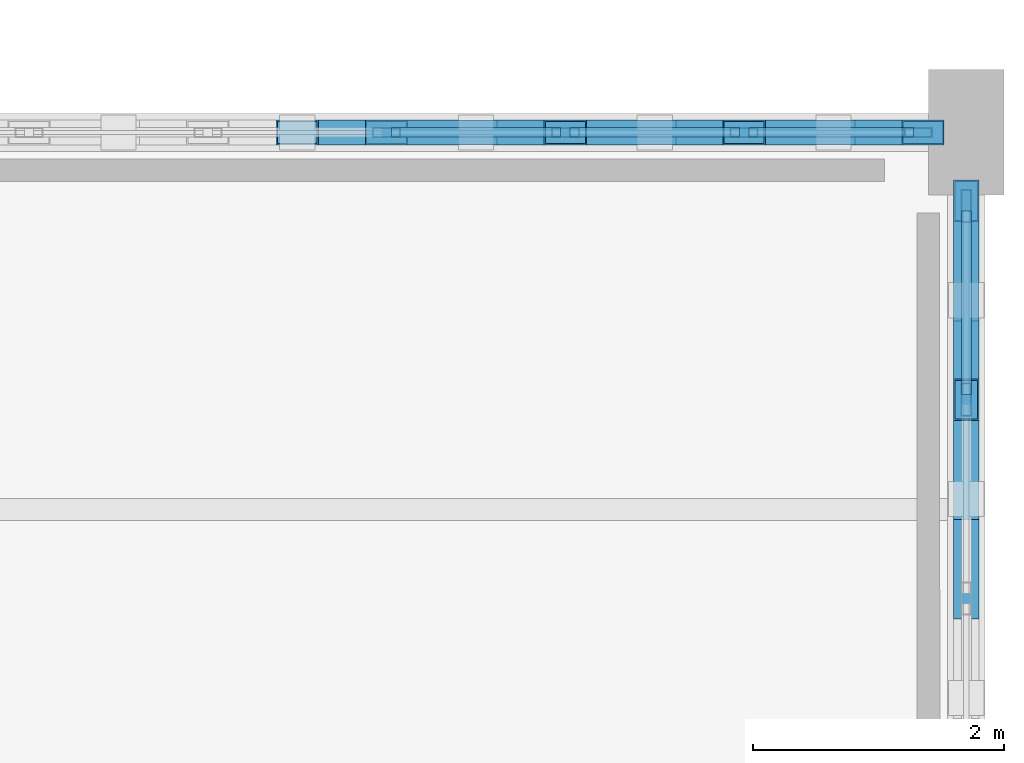
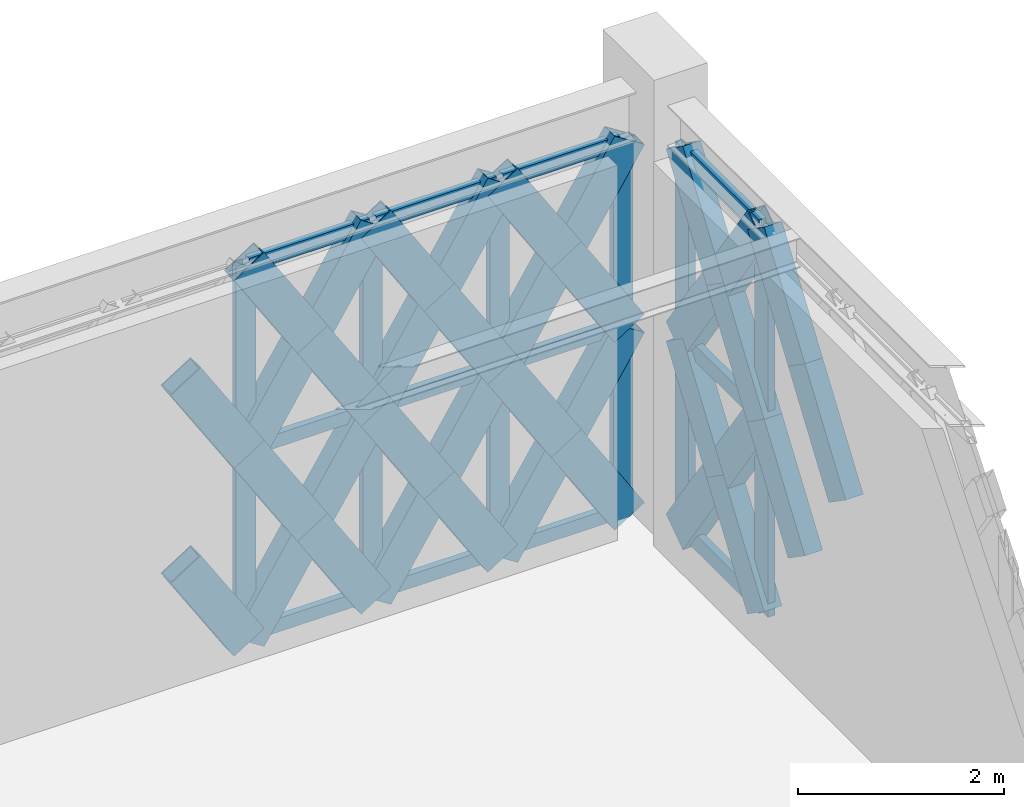
# One storey, part 116 of 155: 47 members, 2 elements without a shape of their own.
"""IFC4 building model written with IfcOpenShell, lengths in metres."""

from ifc_helpers import new_model, si_unit, direction, frame, origin, origin_2d, place, context, subcontext, project, spatial, hollow_rectangle, extrude, material, material_profile, profile_set, type_object, element, aggregate, save


model = new_model("IFC4")

# Units and contexts
model_context = context("Model", 3, precision=1e-05, world=origin(), true_north=direction((0.0, 1.0)))
body_context = subcontext(model_context, "Body", "Model", "MODEL_VIEW")
ifc_project = project(units=[si_unit("LENGTHUNIT", "METRE"), si_unit("AREAUNIT", "SQUARE_METRE"), si_unit("VOLUMEUNIT", "CUBIC_METRE"), si_unit("PLANEANGLEUNIT", "RADIAN"), si_unit("MASSUNIT", "GRAM", prefix="KILO")], contexts=[model_context])

# Site, building, storey
site_placement = place(None, origin())
site = spatial("IfcSite", under=ifc_project, at=site_placement, CompositionType="ELEMENT")
building_placement = place(site_placement, origin())
building = spatial("IfcBuilding", under=site, at=building_placement, Name="Haizhuo Lancet Aquarium", CompositionType="ELEMENT")
storey_placement = place(building_placement, frame((0.0, 0.0, 10.800048828125)))
storey = spatial("IfcBuildingStorey", under=building, at=storey_placement, Name="L02", CompositionType="ELEMENT", Elevation=10.800048828125)

# Curtain wall, members
ifc_material_1 = material(Name="Aluminium 6063-T6", Category="aluminium")
curtain_wall_type_1 = type_object("IfcCurtainWallType", Name="CWD-9960x4460", PredefinedType="NOTDEFINED", material=ifc_material_1)
curtain_wall_1_placement = place(storey_placement, origin())
curtain_wall_1 = element("IfcCurtainWall", 1, at=curtain_wall_1_placement, inside=storey, type_object=curtain_wall_type_1, Name="L02 curtain wall CW-V7-L02-302", PredefinedType="NOTDEFINED")
ifc_material_profile_1 = material_profile(ifc_material_1, hollow_rectangle(XDim=0.074951171875, YDim=0.219970703125, WallThickness=0.0048828125, at=origin_2d()), Name="ALU-M 75x220x5")
ifc_profile_set_1 = profile_set([ifc_material_profile_1], Name="Aluminium 6063-T6")
member_type_1 = type_object("IfcMemberType", Name="CW-MUL-2", PredefinedType="MULLION", material=ifc_profile_set_1)
member_1_placement = place(storey_placement, frame((77.885986328125, 18.0, 0.0), z_axis=(0.0, 0.0, 1.0), x_axis=(0.0, 1.0, 0.0)))
member_1 = element("IfcMember", 2, at=member_1_placement, type_object=member_type_1, Name="CWD-99x44 mullion 5", PredefinedType="MULLION", context=body_context, shape_type="SweptSolid", body=[
    extrude(hollow_rectangle(XDim=0.074951171875, YDim=0.219970703125, WallThickness=0.0048828125, at=origin_2d()), origin(), (0.0, 0.0, 1.0), 4.4619140625),
])
member_2_placement = place(storey_placement, frame((79.30908203125, 18.0, 0.0), z_axis=(0.0, 0.0, 1.0), x_axis=(0.0, 1.0, 0.0)))
member_2 = element("IfcMember", 3, at=member_2_placement, type_object=member_type_1, Name="CWD-99x44 mullion 6", PredefinedType="MULLION", context=body_context, shape_type="SweptSolid", body=[
    extrude(hollow_rectangle(XDim=0.074951171875, YDim=0.219970703125, WallThickness=0.0048828125, at=origin_2d()), origin(), (0.0, 0.0, 1.0), 4.4619140625),
])
member_3_placement = place(storey_placement, frame((80.73193359375, 18.0, 0.0), z_axis=(0.0, 0.0, 1.0), x_axis=(0.0, 1.0, 0.0)))
member_3 = element("IfcMember", 4, at=member_3_placement, type_object=member_type_1, Name="CWD-99x44 mullion 7", PredefinedType="MULLION", context=body_context, shape_type="SweptSolid", body=[
    extrude(hollow_rectangle(XDim=0.074951171875, YDim=0.219970703125, WallThickness=0.0048828125, at=origin_2d()), origin(), (0.0, 0.0, 1.0), 4.4619140625),
])
member_4_placement = place(storey_placement, frame((82.117919921875, 18.0, 0.0), z_axis=(0.0, 0.0, 1.0), x_axis=(0.0, 1.0, 0.0)))
member_4 = element("IfcMember", 5, at=member_4_placement, type_object=member_type_1, Name="CWD-99x44 mullion 8", PredefinedType="MULLION", context=body_context, shape_type="SweptSolid", body=[
    extrude(hollow_rectangle(XDim=0.074951171875, YDim=0.219970703125, WallThickness=0.0048828125, at=origin_2d()), origin(), (0.0, 0.0, 1.0), 4.4619140625),
])

curtain_wall_type_2 = type_object("IfcCurtainWallType", Name="CWD-7910x4560", PredefinedType="NOTDEFINED", material=ifc_material_1)
curtain_wall_2_placement = place(storey_placement, origin())
curtain_wall_2 = element("IfcCurtainWall", 6, at=curtain_wall_2_placement, inside=storey, type_object=curtain_wall_type_2, Name="L02 curtain wall CW-V7-L02-303", PredefinedType="NOTDEFINED")
ifc_material_profile_2 = material_profile(ifc_material_1, hollow_rectangle(XDim=0.080078125, YDim=0.260009765625, WallThickness=0.0048828125, at=origin_2d()), Name="ALU-M 80x260x5")
ifc_profile_set_2 = profile_set([ifc_material_profile_2], Name="Aluminium 6063-T6")
member_type_2 = type_object("IfcMemberType", Name="CW-MUL-3", PredefinedType="MULLION", material=ifc_profile_set_2)
member_5_placement = place(storey_placement, frame((82.5, 17.4150390625, 0.0), z_axis=(0.0, 0.0, 1.0), x_axis=(1.0, 0.0, 0.0)))
member_5 = element("IfcMember", 7, at=member_5_placement, type_object=member_type_2, Name="CWD-79x45 mullion 1", PredefinedType="MULLION", context=body_context, shape_type="SweptSolid", body=[
    extrude(hollow_rectangle(XDim=0.080078125, YDim=0.260009765625, WallThickness=0.0048828125, at=origin_2d()), origin(), (0.0, 0.0, 1.0), 4.56201171875),
])
member_6_placement = place(storey_placement, frame((82.5, 15.873046875, 0.0), z_axis=(0.0, 0.0, 1.0), x_axis=(1.0, 0.0, 0.0)))
member_6 = element("IfcMember", 8, at=member_6_placement, type_object=member_type_2, Name="CWD-79x45 mullion 2", PredefinedType="MULLION", context=body_context, shape_type="SweptSolid", body=[
    extrude(hollow_rectangle(XDim=0.080078125, YDim=0.260009765625, WallThickness=0.0048828125, at=origin_2d()), origin(), (0.0, 0.0, 1.0), 4.56201171875),
])

# Member
ifc_material_profile_3 = material_profile(ifc_material_1, hollow_rectangle(XDim=0.074951171875, YDim=0.159912109375, WallThickness=0.00390625, at=origin_2d()), Name="ALU-T 75x160x4")
ifc_profile_set_3 = profile_set([ifc_material_profile_3], Name="Aluminium 6063-T6")
member_type_3 = type_object("IfcMemberType", Name="CW-TRN-2", PredefinedType="NOTDEFINED", material=ifc_profile_set_3)
member_7_placement = place(storey_placement, frame((77.924072265625, 18.0, 0.037841796875), z_axis=(1.0, 0.0, 0.0), x_axis=(0.0, 1.0, 0.0)))
member_7 = element("IfcMember", 9, at=member_7_placement, type_object=member_type_3, Name="CWD-99x44 transom 5.1", ObjectType="TRANSOM", PredefinedType="USERDEFINED", context=body_context, shape_type="SweptSolid", body=[
    extrude(hollow_rectangle(XDim=0.074951171875, YDim=0.159912109375, WallThickness=0.00390625, at=origin_2d()), origin(), (0.0, 0.0, 1.0), 1.347900390625),
])

member_8_placement = place(storey_placement, frame((77.924072265625, 18.0, 2.23095703125), z_axis=(1.0, 0.0, 0.0), x_axis=(0.0, 1.0, 0.0)))
member_8 = element("IfcMember", 10, at=member_8_placement, type_object=member_type_3, Name="CWD-99x44 transom 5.2", ObjectType="TRANSOM", PredefinedType="USERDEFINED", context=body_context, shape_type="SweptSolid", body=[
    extrude(hollow_rectangle(XDim=0.074951171875, YDim=0.159912109375, WallThickness=0.00390625, at=origin_2d()), origin(), (0.0, 0.0, 1.0), 1.347900390625),
])

member_9_placement = place(storey_placement, frame((77.924072265625, 18.0, 4.425048828125), z_axis=(1.0, 0.0, 0.0), x_axis=(0.0, 1.0, 0.0)))
member_9 = element("IfcMember", 11, at=member_9_placement, type_object=member_type_3, Name="CWD-99x44 transom 5.3", ObjectType="TRANSOM", PredefinedType="USERDEFINED", context=body_context, shape_type="SweptSolid", body=[
    extrude(hollow_rectangle(XDim=0.074951171875, YDim=0.159912109375, WallThickness=0.00390625, at=origin_2d()), origin(), (0.0, 0.0, 1.0), 1.347900390625),
])

member_10_placement = place(storey_placement, frame((79.346923828125, 18.0, 0.037841796875), z_axis=(1.0, 0.0, 0.0), x_axis=(0.0, 1.0, 0.0)))
member_10 = element("IfcMember", 12, at=member_10_placement, type_object=member_type_3, Name="CWD-99x44 transom 6.1", ObjectType="TRANSOM", PredefinedType="USERDEFINED", context=body_context, shape_type="SweptSolid", body=[
    extrude(hollow_rectangle(XDim=0.074951171875, YDim=0.159912109375, WallThickness=0.00390625, at=origin_2d()), origin(), (0.0, 0.0, 1.0), 1.34814453125),
])

member_11_placement = place(storey_placement, frame((79.346923828125, 18.0, 2.23095703125), z_axis=(1.0, 0.0, 0.0), x_axis=(0.0, 1.0, 0.0)))
member_11 = element("IfcMember", 13, at=member_11_placement, type_object=member_type_3, Name="CWD-99x44 transom 6.2", ObjectType="TRANSOM", PredefinedType="USERDEFINED", context=body_context, shape_type="SweptSolid", body=[
    extrude(hollow_rectangle(XDim=0.074951171875, YDim=0.159912109375, WallThickness=0.00390625, at=origin_2d()), origin(), (0.0, 0.0, 1.0), 1.34814453125),
])

member_12_placement = place(storey_placement, frame((79.346923828125, 18.0, 4.425048828125), z_axis=(1.0, 0.0, 0.0), x_axis=(0.0, 1.0, 0.0)))
member_12 = element("IfcMember", 14, at=member_12_placement, type_object=member_type_3, Name="CWD-99x44 transom 6.3", ObjectType="TRANSOM", PredefinedType="USERDEFINED", context=body_context, shape_type="SweptSolid", body=[
    extrude(hollow_rectangle(XDim=0.074951171875, YDim=0.159912109375, WallThickness=0.00390625, at=origin_2d()), origin(), (0.0, 0.0, 1.0), 1.34814453125),
])

member_13_placement = place(storey_placement, frame((80.77001953125, 18.0, 0.037841796875), z_axis=(1.0, 0.0, 0.0), x_axis=(0.0, 1.0, 0.0)))
member_13 = element("IfcMember", 15, at=member_13_placement, type_object=member_type_3, Name="CWD-99x44 transom 7.1", ObjectType="TRANSOM", PredefinedType="USERDEFINED", context=body_context, shape_type="SweptSolid", body=[
    extrude(hollow_rectangle(XDim=0.074951171875, YDim=0.159912109375, WallThickness=0.00390625, at=origin_2d()), origin(), (0.0, 0.0, 1.0), 1.31005859375),
])

member_14_placement = place(storey_placement, frame((80.77001953125, 18.0, 2.23095703125), z_axis=(1.0, 0.0, 0.0), x_axis=(0.0, 1.0, 0.0)))
member_14 = element("IfcMember", 16, at=member_14_placement, type_object=member_type_3, Name="CWD-99x44 transom 7.2", ObjectType="TRANSOM", PredefinedType="USERDEFINED", context=body_context, shape_type="SweptSolid", body=[
    extrude(hollow_rectangle(XDim=0.074951171875, YDim=0.159912109375, WallThickness=0.00390625, at=origin_2d()), origin(), (0.0, 0.0, 1.0), 1.31005859375),
])

member_15_placement = place(storey_placement, frame((80.77001953125, 18.0, 4.425048828125), z_axis=(1.0, 0.0, 0.0), x_axis=(0.0, 1.0, 0.0)))
member_15 = element("IfcMember", 17, at=member_15_placement, type_object=member_type_3, Name="CWD-99x44 transom 7.3", ObjectType="TRANSOM", PredefinedType="USERDEFINED", context=body_context, shape_type="SweptSolid", body=[
    extrude(hollow_rectangle(XDim=0.074951171875, YDim=0.159912109375, WallThickness=0.00390625, at=origin_2d()), origin(), (0.0, 0.0, 1.0), 1.31005859375),
])

aggregate(curtain_wall_1, [member_1, member_2, member_3, member_4, member_7, member_8, member_9, member_10, member_11, member_12, member_13, member_14, member_15])

ifc_material_profile_4 = material_profile(ifc_material_1, hollow_rectangle(XDim=0.080078125, YDim=0.18994140625, WallThickness=0.0048828125, at=origin_2d()), Name="ALU-T 80x190x5")
ifc_profile_set_4 = profile_set([ifc_material_profile_4], Name="Aluminium 6063-T6")
member_type_4 = type_object("IfcMemberType", Name="CW-TRN-3", PredefinedType="NOTDEFINED", material=ifc_profile_set_4)
member_16_placement = place(storey_placement, frame((82.5, 17.375, 0.0400390625), z_axis=(0.0, -1.0, 0.0), x_axis=(1.0, 0.0, 0.0)))
member_16 = element("IfcMember", 18, at=member_16_placement, type_object=member_type_4, Name="CWD-79x45 transom 1.1", ObjectType="TRANSOM", PredefinedType="USERDEFINED", context=body_context, shape_type="SweptSolid", body=[
    extrude(hollow_rectangle(XDim=0.080078125, YDim=0.18994140625, WallThickness=0.0048828125, at=origin_2d()), origin(), (0.0, 0.0, 1.0), 1.4619140625),
])

member_17_placement = place(storey_placement, frame((82.5, 17.375, 2.281005859375), z_axis=(0.0, -1.0, 0.0), x_axis=(1.0, 0.0, 0.0)))
member_17 = element("IfcMember", 19, at=member_17_placement, type_object=member_type_4, Name="CWD-79x45 transom 1.2", ObjectType="TRANSOM", PredefinedType="USERDEFINED", context=body_context, shape_type="SweptSolid", body=[
    extrude(hollow_rectangle(XDim=0.080078125, YDim=0.18994140625, WallThickness=0.0048828125, at=origin_2d()), origin(), (0.0, 0.0, 1.0), 1.4619140625),
])

member_18_placement = place(storey_placement, frame((82.5, 17.375, 4.52197265625), z_axis=(0.0, -1.0, 0.0), x_axis=(1.0, 0.0, 0.0)))
member_18 = element("IfcMember", 20, at=member_18_placement, type_object=member_type_4, Name="CWD-79x45 transom 1.3", ObjectType="TRANSOM", PredefinedType="USERDEFINED", context=body_context, shape_type="SweptSolid", body=[
    extrude(hollow_rectangle(XDim=0.080078125, YDim=0.18994140625, WallThickness=0.0048828125, at=origin_2d()), origin(), (0.0, 0.0, 1.0), 1.4619140625),
])

aggregate(curtain_wall_2, [member_5, member_6, member_16, member_17, member_18])

# Members
ifc_material_2 = material(Name="Steel S355", Category="steel")
ifc_material_profile_5 = material_profile(ifc_material_2, hollow_rectangle(XDim=0.199951171875, YDim=0.39990234375, WallThickness=0.011962890625, at=origin_2d()), Name="RHS 200x400x12")
ifc_profile_set_5 = profile_set([ifc_material_profile_5], Name="Steel S355")
member_type_5 = type_object("IfcMemberType", Name="MEM-LB-RHS200x400", PredefinedType="BRACE", material=ifc_profile_set_5)
member_19_placement = place(storey_placement, frame((77.885986328125, 18.0, 0.0), z_axis=(-0.537293287353, 0.0, 0.843395472697), x_axis=(0.0, -1.0, 0.0)))
element("IfcMember", 21, at=member_19_placement, inside=storey, type_object=member_type_5, Name="Gothic lancet split diagonal brace CW-V7-L02-302 7B1", PredefinedType="BRACE", context=body_context, shape_type="SweptSolid", body=[
    extrude(hollow_rectangle(XDim=0.199951171875, YDim=0.39990234375, WallThickness=0.011962890625, at=origin_2d()), origin(), (0.0, 0.0, 1.0), 1.3232421875),
])
member_20_placement = place(storey_placement, frame((77.885986328125, 18.0, 2.23095703125), z_axis=(-0.537627896804, 0.0, 0.843182213153), x_axis=(0.0, -1.0, 0.0)))
element("IfcMember", 22, at=member_20_placement, inside=storey, type_object=member_type_5, Name="Gothic lancet split diagonal brace CW-V7-L02-302 8B1", PredefinedType="BRACE", context=body_context, shape_type="SweptSolid", body=[
    extrude(hollow_rectangle(XDim=0.199951171875, YDim=0.39990234375, WallThickness=0.011962890625, at=origin_2d()), origin(), (0.0, 0.0, 1.0), 1.322265625),
])
member_21_placement = place(storey_placement, frame((77.885986328125, 18.0, 0.0), z_axis=(0.53778856008, 0.0, 0.843079749874), x_axis=(0.0, 1.0, 0.0)))
element("IfcMember", 23, at=member_21_placement, inside=storey, type_object=member_type_5, Name="Gothic lancet continuous diagonal brace CW-V7-L02-302 9A", PredefinedType="BRACE", context=body_context, shape_type="SweptSolid", body=[
    extrude(hollow_rectangle(XDim=0.199951171875, YDim=0.39990234375, WallThickness=0.011962890625, at=origin_2d()), origin(), (0.0, 0.0, 1.0), 2.646240234375),
])
member_22_placement = place(storey_placement, frame((79.30908203125, 18.0, 0.0), z_axis=(-0.537949024271, 0.0, 0.842977370566), x_axis=(0.0, -1.0, 0.0)))
element("IfcMember", 24, at=member_22_placement, inside=storey, type_object=member_type_5, Name="Gothic lancet split diagonal brace CW-V7-L02-302 9B1", PredefinedType="BRACE", context=body_context, shape_type="SweptSolid", body=[
    extrude(hollow_rectangle(XDim=0.199951171875, YDim=0.39990234375, WallThickness=0.011962890625, at=origin_2d()), origin(), (0.0, 0.0, 1.0), 1.32373046875),
])
member_23_placement = place(storey_placement, frame((78.596923828125, 18.0, 1.115966796875), z_axis=(-0.537627896804, 0.0, 0.843182213153), x_axis=(0.0, -1.0, 0.0)))
element("IfcMember", 25, at=member_23_placement, inside=storey, type_object=member_type_5, Name="Gothic lancet split diagonal brace CW-V7-L02-302 9B2", PredefinedType="BRACE", context=body_context, shape_type="SweptSolid", body=[
    extrude(hollow_rectangle(XDim=0.199951171875, YDim=0.39990234375, WallThickness=0.011962890625, at=origin_2d()), origin(), (0.0, 0.0, 1.0), 1.322265625),
])
member_24_placement = place(storey_placement, frame((77.885986328125, 18.0, 2.23095703125), z_axis=(0.53778856008, 0.0, 0.843079749874), x_axis=(0.0, 1.0, 0.0)))
element("IfcMember", 26, at=member_24_placement, inside=storey, type_object=member_type_5, Name="Gothic lancet continuous diagonal brace CW-V7-L02-302 10A", PredefinedType="BRACE", context=body_context, shape_type="SweptSolid", body=[
    extrude(hollow_rectangle(XDim=0.199951171875, YDim=0.39990234375, WallThickness=0.011962890625, at=origin_2d()), origin(), (0.0, 0.0, 1.0), 2.646240234375),
])
member_25_placement = place(storey_placement, frame((79.30908203125, 18.0, 2.23095703125), z_axis=(-0.538283709705, 0.0, 0.842763696339), x_axis=(0.0, -1.0, 0.0)))
element("IfcMember", 27, at=member_25_placement, inside=storey, type_object=member_type_5, Name="Gothic lancet split diagonal brace CW-V7-L02-302 10B1", PredefinedType="BRACE", context=body_context, shape_type="SweptSolid", body=[
    extrude(hollow_rectangle(XDim=0.199951171875, YDim=0.39990234375, WallThickness=0.011962890625, at=origin_2d()), origin(), (0.0, 0.0, 1.0), 1.322998046875),
])
member_26_placement = place(storey_placement, frame((78.596923828125, 18.0, 3.345947265625), z_axis=(-0.537293287353, 0.0, 0.843395472697), x_axis=(0.0, -1.0, 0.0)))
element("IfcMember", 28, at=member_26_placement, inside=storey, type_object=member_type_5, Name="Gothic lancet split diagonal brace CW-V7-L02-302 10B2", PredefinedType="BRACE", context=body_context, shape_type="SweptSolid", body=[
    extrude(hollow_rectangle(XDim=0.199951171875, YDim=0.39990234375, WallThickness=0.011962890625, at=origin_2d()), origin(), (0.0, 0.0, 1.0), 1.3232421875),
])
member_27_placement = place(storey_placement, frame((79.30908203125, 18.0, 0.0), z_axis=(0.537722977705, 0.0, 0.843121580348), x_axis=(0.0, 1.0, 0.0)))
element("IfcMember", 29, at=member_27_placement, inside=storey, type_object=member_type_5, Name="Gothic lancet continuous diagonal brace CW-V7-L02-302 11A", PredefinedType="BRACE", context=body_context, shape_type="SweptSolid", body=[
    extrude(hollow_rectangle(XDim=0.199951171875, YDim=0.39990234375, WallThickness=0.011962890625, at=origin_2d()), origin(), (0.0, 0.0, 1.0), 2.64599609375),
])
member_28_placement = place(storey_placement, frame((80.73193359375, 18.0, 0.0), z_axis=(-0.537817954918, 0.0, 0.843060998604), x_axis=(0.0, -1.0, 0.0)))
element("IfcMember", 30, at=member_28_placement, inside=storey, type_object=member_type_5, Name="Gothic lancet split diagonal brace CW-V7-L02-302 11B1", PredefinedType="BRACE", context=body_context, shape_type="SweptSolid", body=[
    extrude(hollow_rectangle(XDim=0.199951171875, YDim=0.39990234375, WallThickness=0.011962890625, at=origin_2d()), origin(), (0.0, 0.0, 1.0), 1.32373046875),
])
member_29_placement = place(storey_placement, frame((80.02001953125, 18.0, 1.115966796875), z_axis=(-0.537627896804, 0.0, 0.843182213153), x_axis=(0.0, -1.0, 0.0)))
element("IfcMember", 31, at=member_29_placement, inside=storey, type_object=member_type_5, Name="Gothic lancet split diagonal brace CW-V7-L02-302 11B2", PredefinedType="BRACE", context=body_context, shape_type="SweptSolid", body=[
    extrude(hollow_rectangle(XDim=0.199951171875, YDim=0.39990234375, WallThickness=0.011962890625, at=origin_2d()), origin(), (0.0, 0.0, 1.0), 1.322265625),
])
member_30_placement = place(storey_placement, frame((79.30908203125, 18.0, 2.23095703125), z_axis=(0.537722977705, 0.0, 0.843121580348), x_axis=(0.0, 1.0, 0.0)))
element("IfcMember", 32, at=member_30_placement, inside=storey, type_object=member_type_5, Name="Gothic lancet continuous diagonal brace CW-V7-L02-302 12A", PredefinedType="BRACE", context=body_context, shape_type="SweptSolid", body=[
    extrude(hollow_rectangle(XDim=0.199951171875, YDim=0.39990234375, WallThickness=0.011962890625, at=origin_2d()), origin(), (0.0, 0.0, 1.0), 2.64599609375),
])
member_31_placement = place(storey_placement, frame((80.73193359375, 18.0, 2.23095703125), z_axis=(-0.538152625261, 0.0, 0.84284740726), x_axis=(0.0, -1.0, 0.0)))
element("IfcMember", 33, at=member_31_placement, inside=storey, type_object=member_type_5, Name="Gothic lancet split diagonal brace CW-V7-L02-302 12B1", PredefinedType="BRACE", context=body_context, shape_type="SweptSolid", body=[
    extrude(hollow_rectangle(XDim=0.199951171875, YDim=0.39990234375, WallThickness=0.011962890625, at=origin_2d()), origin(), (0.0, 0.0, 1.0), 1.322998046875),
])
member_32_placement = place(storey_placement, frame((80.02001953125, 18.0, 3.345947265625), z_axis=(-0.537293287353, 0.0, 0.843395472697), x_axis=(0.0, -1.0, 0.0)))
element("IfcMember", 34, at=member_32_placement, inside=storey, type_object=member_type_5, Name="Gothic lancet split diagonal brace CW-V7-L02-302 12B2", PredefinedType="BRACE", context=body_context, shape_type="SweptSolid", body=[
    extrude(hollow_rectangle(XDim=0.199951171875, YDim=0.39990234375, WallThickness=0.011962890625, at=origin_2d()), origin(), (0.0, 0.0, 1.0), 1.3232421875),
])
member_33_placement = place(storey_placement, frame((80.73193359375, 18.0, 0.0), z_axis=(0.53778856008, 0.0, 0.843079749874), x_axis=(0.0, 1.0, 0.0)))
element("IfcMember", 35, at=member_33_placement, inside=storey, type_object=member_type_5, Name="Gothic lancet continuous diagonal brace CW-V7-L02-302 13A", PredefinedType="BRACE", context=body_context, shape_type="SweptSolid", body=[
    extrude(hollow_rectangle(XDim=0.199951171875, YDim=0.39990234375, WallThickness=0.011962890625, at=origin_2d()), origin(), (0.0, 0.0, 1.0), 2.646240234375),
])
member_34_placement = place(storey_placement, frame((82.155029296875, 18.0, 0.0), z_axis=(-0.537293287353, 0.0, 0.843395472697), x_axis=(0.0, -1.0, 0.0)))
element("IfcMember", 36, at=member_34_placement, inside=storey, type_object=member_type_5, Name="Gothic lancet split diagonal brace CW-V7-L02-302 13B1", PredefinedType="BRACE", context=body_context, shape_type="SweptSolid", body=[
    extrude(hollow_rectangle(XDim=0.199951171875, YDim=0.39990234375, WallThickness=0.011962890625, at=origin_2d()), origin(), (0.0, 0.0, 1.0), 1.3232421875),
])
member_35_placement = place(storey_placement, frame((81.444091796875, 18.0, 1.115966796875), z_axis=(-0.538283709705, 0.0, 0.842763696339), x_axis=(0.0, -1.0, 0.0)))
element("IfcMember", 37, at=member_35_placement, inside=storey, type_object=member_type_5, Name="Gothic lancet split diagonal brace CW-V7-L02-302 13B2", PredefinedType="BRACE", context=body_context, shape_type="SweptSolid", body=[
    extrude(hollow_rectangle(XDim=0.199951171875, YDim=0.39990234375, WallThickness=0.011962890625, at=origin_2d()), origin(), (0.0, 0.0, 1.0), 1.322998046875),
])
member_36_placement = place(storey_placement, frame((80.73193359375, 18.0, 2.23095703125), z_axis=(0.53778856008, 0.0, 0.843079749874), x_axis=(0.0, 1.0, 0.0)))
element("IfcMember", 38, at=member_36_placement, inside=storey, type_object=member_type_5, Name="Gothic lancet continuous diagonal brace CW-V7-L02-302 14A", PredefinedType="BRACE", context=body_context, shape_type="SweptSolid", body=[
    extrude(hollow_rectangle(XDim=0.199951171875, YDim=0.39990234375, WallThickness=0.011962890625, at=origin_2d()), origin(), (0.0, 0.0, 1.0), 2.646240234375),
])
member_37_placement = place(storey_placement, frame((82.155029296875, 18.0, 2.23095703125), z_axis=(-0.537627896804, 0.0, 0.843182213153), x_axis=(0.0, -1.0, 0.0)))
element("IfcMember", 39, at=member_37_placement, inside=storey, type_object=member_type_5, Name="Gothic lancet split diagonal brace CW-V7-L02-302 14B1", PredefinedType="BRACE", context=body_context, shape_type="SweptSolid", body=[
    extrude(hollow_rectangle(XDim=0.199951171875, YDim=0.39990234375, WallThickness=0.011962890625, at=origin_2d()), origin(), (0.0, 0.0, 1.0), 1.322265625),
])
member_38_placement = place(storey_placement, frame((81.444091796875, 18.0, 3.345947265625), z_axis=(-0.537949024271, 0.0, 0.842977370566), x_axis=(0.0, -1.0, 0.0)))
element("IfcMember", 40, at=member_38_placement, inside=storey, type_object=member_type_5, Name="Gothic lancet split diagonal brace CW-V7-L02-302 14B2", PredefinedType="BRACE", context=body_context, shape_type="SweptSolid", body=[
    extrude(hollow_rectangle(XDim=0.199951171875, YDim=0.39990234375, WallThickness=0.011962890625, at=origin_2d()), origin(), (0.0, 0.0, 1.0), 1.32373046875),
])
member_39_placement = place(storey_placement, frame((82.5, 17.455078125, 0.0), z_axis=(0.0, -0.569909494911, 0.821707470826), x_axis=(1.0, 0.0, 0.0)))
element("IfcMember", 41, at=member_39_placement, inside=storey, type_object=member_type_5, Name="Gothic lancet continuous diagonal brace CW-V7-L02-303 1A", PredefinedType="BRACE", context=body_context, shape_type="SweptSolid", body=[
    extrude(hollow_rectangle(XDim=0.199951171875, YDim=0.39990234375, WallThickness=0.011962890625, at=origin_2d()), origin(), (0.0, 0.0, 1.0), 2.77587890625),
])
member_40_placement = place(storey_placement, frame((82.5, 15.873046875, 0.0), z_axis=(0.0, 0.569785956003, 0.82179313963), x_axis=(-1.0, 0.0, 0.0)))
element("IfcMember", 42, at=member_40_placement, inside=storey, type_object=member_type_5, Name="Gothic lancet split diagonal brace CW-V7-L02-303 1B1", PredefinedType="BRACE", context=body_context, shape_type="SweptSolid", body=[
    extrude(hollow_rectangle(XDim=0.199951171875, YDim=0.39990234375, WallThickness=0.011962890625, at=origin_2d()), origin(), (0.0, 0.0, 1.0), 1.38818359375),
])
member_41_placement = place(storey_placement, frame((82.5, 16.6640625, 1.140869140625), z_axis=(0.0, 0.570033074509, 0.821621746283), x_axis=(-1.0, 0.0, 0.0)))
element("IfcMember", 43, at=member_41_placement, inside=storey, type_object=member_type_5, Name="Gothic lancet split diagonal brace CW-V7-L02-303 1B2", PredefinedType="BRACE", context=body_context, shape_type="SweptSolid", body=[
    extrude(hollow_rectangle(XDim=0.199951171875, YDim=0.39990234375, WallThickness=0.011962890625, at=origin_2d()), origin(), (0.0, 0.0, 1.0), 1.3876953125),
])
member_42_placement = place(storey_placement, frame((82.5, 17.455078125, 2.281005859375), z_axis=(0.0, -0.569909494911, 0.821707470826), x_axis=(1.0, 0.0, 0.0)))
element("IfcMember", 44, at=member_42_placement, inside=storey, type_object=member_type_5, Name="Gothic lancet continuous diagonal brace CW-V7-L02-303 2A", PredefinedType="BRACE", context=body_context, shape_type="SweptSolid", body=[
    extrude(hollow_rectangle(XDim=0.199951171875, YDim=0.39990234375, WallThickness=0.011962890625, at=origin_2d()), origin(), (0.0, 0.0, 1.0), 2.77587890625),
])
member_43_placement = place(storey_placement, frame((82.5, 15.873046875, 2.281005859375), z_axis=(0.0, 0.570115483519, 0.821564565602), x_axis=(-1.0, 0.0, 0.0)))
element("IfcMember", 45, at=member_43_placement, inside=storey, type_object=member_type_5, Name="Gothic lancet split diagonal brace CW-V7-L02-303 2B1", PredefinedType="BRACE", context=body_context, shape_type="SweptSolid", body=[
    extrude(hollow_rectangle(XDim=0.199951171875, YDim=0.39990234375, WallThickness=0.011962890625, at=origin_2d()), origin(), (0.0, 0.0, 1.0), 1.387451171875),
])
member_44_placement = place(storey_placement, frame((82.5, 16.6640625, 3.4208984375), z_axis=(0.0, 0.569703619331, 0.821850221221), x_axis=(-1.0, 0.0, 0.0)))
element("IfcMember", 46, at=member_44_placement, inside=storey, type_object=member_type_5, Name="Gothic lancet split diagonal brace CW-V7-L02-303 2B2", PredefinedType="BRACE", context=body_context, shape_type="SweptSolid", body=[
    extrude(hollow_rectangle(XDim=0.199951171875, YDim=0.39990234375, WallThickness=0.011962890625, at=origin_2d()), origin(), (0.0, 0.0, 1.0), 1.388427734375),
])
member_45_placement = place(storey_placement, frame((82.5, 15.08203125, 1.140869140625), z_axis=(0.0, 0.570033074509, 0.821621746283), x_axis=(-1.0, 0.0, 0.0)))
element("IfcMember", 47, at=member_45_placement, inside=storey, type_object=member_type_5, Name="Gothic lancet split diagonal brace CW-V7-L02-303 3B2", PredefinedType="BRACE", context=body_context, shape_type="SweptSolid", body=[
    extrude(hollow_rectangle(XDim=0.199951171875, YDim=0.39990234375, WallThickness=0.011962890625, at=origin_2d()), origin(), (0.0, 0.0, 1.0), 1.3876953125),
])
member_46_placement = place(storey_placement, frame((82.5, 14.291015625, 2.281005859375), z_axis=(0.0, 0.570115483519, 0.821564565602), x_axis=(-1.0, 0.0, 0.0)))
element("IfcMember", 48, at=member_46_placement, inside=storey, type_object=member_type_5, Name="Gothic lancet split diagonal brace CW-V7-L02-303 4B1", PredefinedType="BRACE", context=body_context, shape_type="SweptSolid", body=[
    extrude(hollow_rectangle(XDim=0.199951171875, YDim=0.39990234375, WallThickness=0.011962890625, at=origin_2d()), origin(), (0.0, 0.0, 1.0), 1.387451171875),
])
member_47_placement = place(storey_placement, frame((82.5, 15.08203125, 3.4208984375), z_axis=(0.0, 0.569703619331, 0.821850221221), x_axis=(-1.0, 0.0, 0.0)))
element("IfcMember", 49, at=member_47_placement, inside=storey, type_object=member_type_5, Name="Gothic lancet split diagonal brace CW-V7-L02-303 4B2", PredefinedType="BRACE", context=body_context, shape_type="SweptSolid", body=[
    extrude(hollow_rectangle(XDim=0.199951171875, YDim=0.39990234375, WallThickness=0.011962890625, at=origin_2d()), origin(), (0.0, 0.0, 1.0), 1.388427734375),
])

save(model, "model.ifc")
